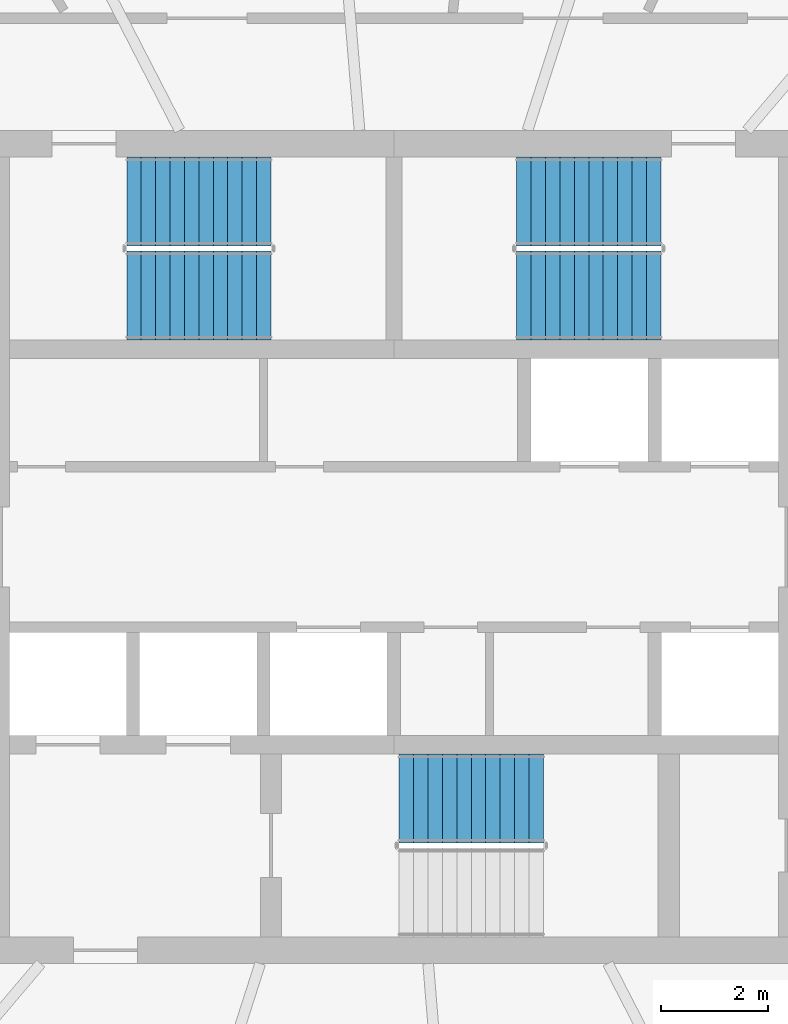
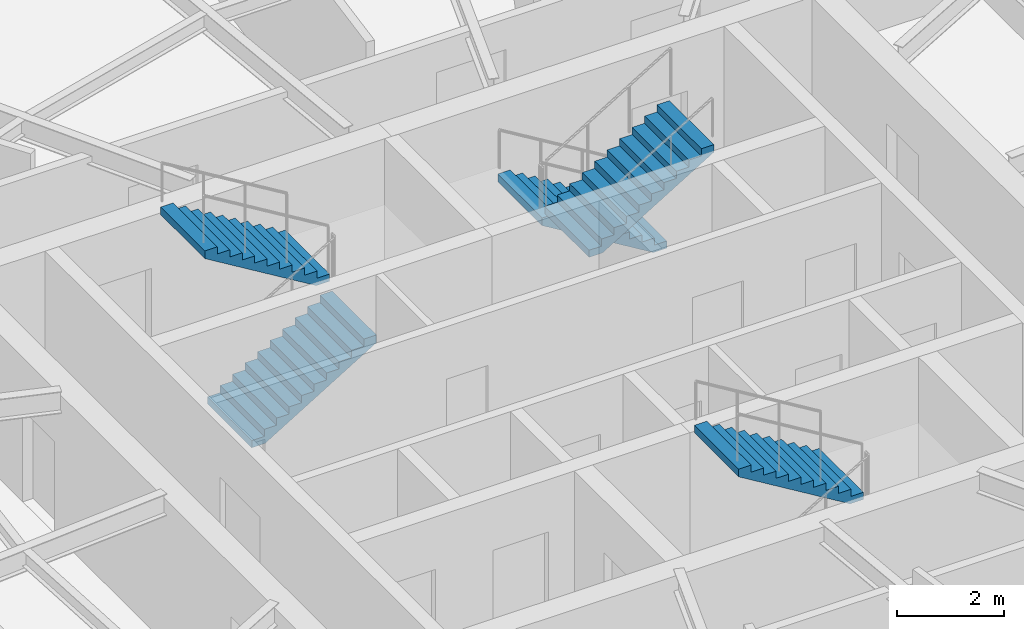
# One storey, part 11 of 14: 5 stair flights, 3 elements without a shape of their own.
"""IFC4 building model written with IfcOpenShell, lengths in metres."""

from ifc_helpers import new_model, si_unit, direction, frame, origin, place, context, subcontext, project, spatial, polyline, outline, extrude, material, type_object, element, aggregate, save


model = new_model("IFC4")

# Units and contexts
model_context = context("Model", 3, precision=1e-05, world=origin(), true_north=direction((0.0, 1.0)))
body_context = subcontext(model_context, "Body", "Model", "MODEL_VIEW")
ifc_project = project(units=[si_unit("LENGTHUNIT", "METRE"), si_unit("AREAUNIT", "SQUARE_METRE"), si_unit("VOLUMEUNIT", "CUBIC_METRE"), si_unit("PLANEANGLEUNIT", "RADIAN"), si_unit("MASSUNIT", "GRAM", prefix="KILO")], contexts=[model_context])

# Site, building, storey
site_placement = place(None, origin())
site = spatial("IfcSite", under=ifc_project, at=site_placement, CompositionType="ELEMENT")
building_placement = place(site_placement, origin())
building = spatial("IfcBuilding", under=site, at=building_placement, Name="Vermilion Reach Broadcast Tower", CompositionType="ELEMENT")
storey_placement = place(building_placement, frame((0.0, 0.0, 268.5)))
storey = spatial("IfcBuildingStorey", under=building, at=storey_placement, Name="L66", CompositionType="ELEMENT", Elevation=268.5)

# Stair, stair flights
ifc_material_1 = material(Name="Concrete C40", Category="concrete")
stair_type = type_object("IfcStairType", Name="Exit stair RC 22 risers 164 mm", PredefinedType="HALF_TURN_STAIR", material=ifc_material_1)
placement = place(storey_placement, origin())
stair_1 = element("IfcStair", 1, at=placement, inside=storey, type_object=stair_type, Name="L66 Exit stair ST1", PredefinedType="HALF_TURN_STAIR")
ifc_material_2 = material(Name="Concrete C40", Category="concrete")
stair_flight_type = type_object("IfcStairFlightType", Name="Exit stair flight RC 11 risers", PredefinedType="STRAIGHT", material=ifc_material_2)
stair_flight_1_placement = place(storey_placement, frame((-11.0, 4.7099609375, 0.0), z_axis=(0.0, 0.0, 1.0), x_axis=(1.0, 0.0, 0.0)))
stair_flight_1 = element("IfcStairFlight", 2, at=stair_flight_1_placement, type_object=stair_flight_type, Name="ST1 flight 1", NumberOfRisers=11, NumberOfTreads=10, PredefinedType="STRAIGHT", RiserHeight=0.163636364, TreadLength=0.27, context=body_context, shape_type="SweptSolid", body=[
    extrude(outline(polyline([(0.0, 0.0), (0.0, 0.16357421875), (0.27001953125, 0.16357421875), (0.27001953125, 0.327392578125), (0.5400390625, 0.327392578125), (0.5400390625, 0.490966796875), (0.81005859375, 0.490966796875), (0.81005859375, 0.654541015625), (1.080078125, 0.654541015625), (1.080078125, 0.818115234375), (1.35009765625, 0.818115234375), (1.35009765625, 0.98193359375), (1.6201171875, 0.98193359375), (1.6201171875, 1.1455078125), (1.889892578125, 1.1455078125), (1.889892578125, 1.30908203125), (2.159912109375, 1.30908203125), (2.159912109375, 1.47265625), (2.429931640625, 1.47265625), (2.429931640625, 1.636474609375), (2.699951171875, 1.636474609375), (2.699951171875, 1.800048828125), (2.699951171875, 1.461181640625), (0.289306640625, 0.0), (0.0, 0.0)])), frame((0.0, 0.830078125, 0.0), z_axis=(0.0, -1.0, 0.0), x_axis=(1.0, 0.0, 0.0)), (0.0, 0.0, 1.0), 1.659912109375),
])
stair_flight_2_placement = place(storey_placement, frame((-8.300048828125, 6.469970703125, 1.800048828125), z_axis=(0.0, 0.0, 1.0), x_axis=(-1.0, 0.0, 0.0)))
stair_flight_2 = element("IfcStairFlight", 3, at=stair_flight_2_placement, type_object=stair_flight_type, Name="ST1 flight 2", NumberOfRisers=11, NumberOfTreads=10, PredefinedType="STRAIGHT", RiserHeight=0.163636364, TreadLength=0.27, context=body_context, shape_type="SweptSolid", body=[
    extrude(outline(polyline([(0.0, 0.0), (0.0, 0.16357421875), (0.27001953125, 0.16357421875), (0.27001953125, 0.327392578125), (0.5400390625, 0.327392578125), (0.5400390625, 0.490966796875), (0.81005859375, 0.490966796875), (0.81005859375, 0.654541015625), (1.080078125, 0.654541015625), (1.080078125, 0.818115234375), (1.35009765625, 0.818115234375), (1.35009765625, 0.98193359375), (1.6201171875, 0.98193359375), (1.6201171875, 1.1455078125), (1.889892578125, 1.1455078125), (1.889892578125, 1.30908203125), (2.159912109375, 1.30908203125), (2.159912109375, 1.47265625), (2.429931640625, 1.47265625), (2.429931640625, 1.636474609375), (2.699951171875, 1.636474609375), (2.699951171875, 1.800048828125), (2.699951171875, 1.461181640625), (0.289306640625, 0.0), (0.0, 0.0)])), frame((0.0, 0.830078125, 0.0), z_axis=(0.0, -1.0, 0.0), x_axis=(1.0, 0.0, 0.0)), (0.0, 0.0, 1.0), 1.659912109375),
])
aggregate(stair_1, [stair_flight_1, stair_flight_2])

stair_2 = element("IfcStair", 4, at=placement, inside=storey, type_object=stair_type, Name="L66 Exit stair ST2", PredefinedType="HALF_TURN_STAIR")
stair_flight_3_placement = place(storey_placement, frame((-1.0, 6.469970703125, 0.0), z_axis=(0.0, 0.0, 1.0), x_axis=(-1.0, 0.0, 0.0)))
stair_flight_3 = element("IfcStairFlight", 5, at=stair_flight_3_placement, type_object=stair_flight_type, Name="ST2 flight 1", NumberOfRisers=11, NumberOfTreads=10, PredefinedType="STRAIGHT", RiserHeight=0.163636364, TreadLength=0.27, context=body_context, shape_type="SweptSolid", body=[
    extrude(outline(polyline([(0.0, 0.0), (0.0, 0.16357421875), (0.27001953125, 0.16357421875), (0.27001953125, 0.327392578125), (0.5400390625, 0.327392578125), (0.5400390625, 0.490966796875), (0.81005859375, 0.490966796875), (0.81005859375, 0.654541015625), (1.080078125, 0.654541015625), (1.080078125, 0.818115234375), (1.35009765625, 0.818115234375), (1.35009765625, 0.98193359375), (1.6201171875, 0.98193359375), (1.6201171875, 1.1455078125), (1.889892578125, 1.1455078125), (1.889892578125, 1.30908203125), (2.159912109375, 1.30908203125), (2.159912109375, 1.47265625), (2.429931640625, 1.47265625), (2.429931640625, 1.636474609375), (2.699951171875, 1.636474609375), (2.699951171875, 1.800048828125), (2.699951171875, 1.461181640625), (0.289306640625, 0.0), (0.0, 0.0)])), frame((0.0, 0.830078125, 0.0), z_axis=(0.0, -1.0, 0.0), x_axis=(1.0, 0.0, 0.0)), (0.0, 0.0, 1.0), 1.659912109375),
])
stair_flight_4_placement = place(storey_placement, frame((-3.699951171875, 4.7099609375, 1.800048828125), z_axis=(0.0, 0.0, 1.0), x_axis=(1.0, 0.0, 0.0)))
stair_flight_4 = element("IfcStairFlight", 6, at=stair_flight_4_placement, type_object=stair_flight_type, Name="ST2 flight 2", NumberOfRisers=11, NumberOfTreads=10, PredefinedType="STRAIGHT", RiserHeight=0.163636364, TreadLength=0.27, context=body_context, shape_type="SweptSolid", body=[
    extrude(outline(polyline([(0.0, 0.0), (0.0, 0.16357421875), (0.27001953125, 0.16357421875), (0.27001953125, 0.327392578125), (0.5400390625, 0.327392578125), (0.5400390625, 0.490966796875), (0.81005859375, 0.490966796875), (0.81005859375, 0.654541015625), (1.080078125, 0.654541015625), (1.080078125, 0.818115234375), (1.35009765625, 0.818115234375), (1.35009765625, 0.98193359375), (1.6201171875, 0.98193359375), (1.6201171875, 1.1455078125), (1.889892578125, 1.1455078125), (1.889892578125, 1.30908203125), (2.159912109375, 1.30908203125), (2.159912109375, 1.47265625), (2.429931640625, 1.47265625), (2.429931640625, 1.636474609375), (2.699951171875, 1.636474609375), (2.699951171875, 1.800048828125), (2.699951171875, 1.461181640625), (0.289306640625, 0.0), (0.0, 0.0)])), frame((0.0, 0.830078125, 0.0), z_axis=(0.0, -1.0, 0.0), x_axis=(1.0, 0.0, 0.0)), (0.0, 0.0, 1.0), 1.659912109375),
])
aggregate(stair_2, [stair_flight_3, stair_flight_4])

# Stair, stair flight
stair_3 = element("IfcStair", 7, at=placement, inside=storey, type_object=stair_type, Name="L66 Exit stair ST3", PredefinedType="HALF_TURN_STAIR")
stair_flight_5_placement = place(storey_placement, frame((-3.199951171875, -4.7099609375, 1.800048828125), z_axis=(0.0, 0.0, 1.0), x_axis=(-1.0, 0.0, 0.0)))
stair_flight_5 = element("IfcStairFlight", 8, at=stair_flight_5_placement, type_object=stair_flight_type, Name="ST3 flight 2", NumberOfRisers=11, NumberOfTreads=10, PredefinedType="STRAIGHT", RiserHeight=0.163636364, TreadLength=0.27, context=body_context, shape_type="SweptSolid", body=[
    extrude(outline(polyline([(0.0, 0.0), (0.0, 0.16357421875), (0.27001953125, 0.16357421875), (0.27001953125, 0.327392578125), (0.5400390625, 0.327392578125), (0.5400390625, 0.490966796875), (0.81005859375, 0.490966796875), (0.81005859375, 0.654541015625), (1.080078125, 0.654541015625), (1.080078125, 0.818115234375), (1.35009765625, 0.818115234375), (1.35009765625, 0.98193359375), (1.6201171875, 0.98193359375), (1.6201171875, 1.1455078125), (1.889892578125, 1.1455078125), (1.889892578125, 1.30908203125), (2.159912109375, 1.30908203125), (2.159912109375, 1.47265625), (2.429931640625, 1.47265625), (2.429931640625, 1.636474609375), (2.699951171875, 1.636474609375), (2.699951171875, 1.800048828125), (2.699951171875, 1.461181640625), (0.289306640625, 0.0), (0.0, 0.0)])), frame((0.0, 0.830078125, 0.0), z_axis=(0.0, -1.0, 0.0), x_axis=(1.0, 0.0, 0.0)), (0.0, 0.0, 1.0), 1.659912109375),
])
aggregate(stair_3, [stair_flight_5])

save(model, "model.ifc")
